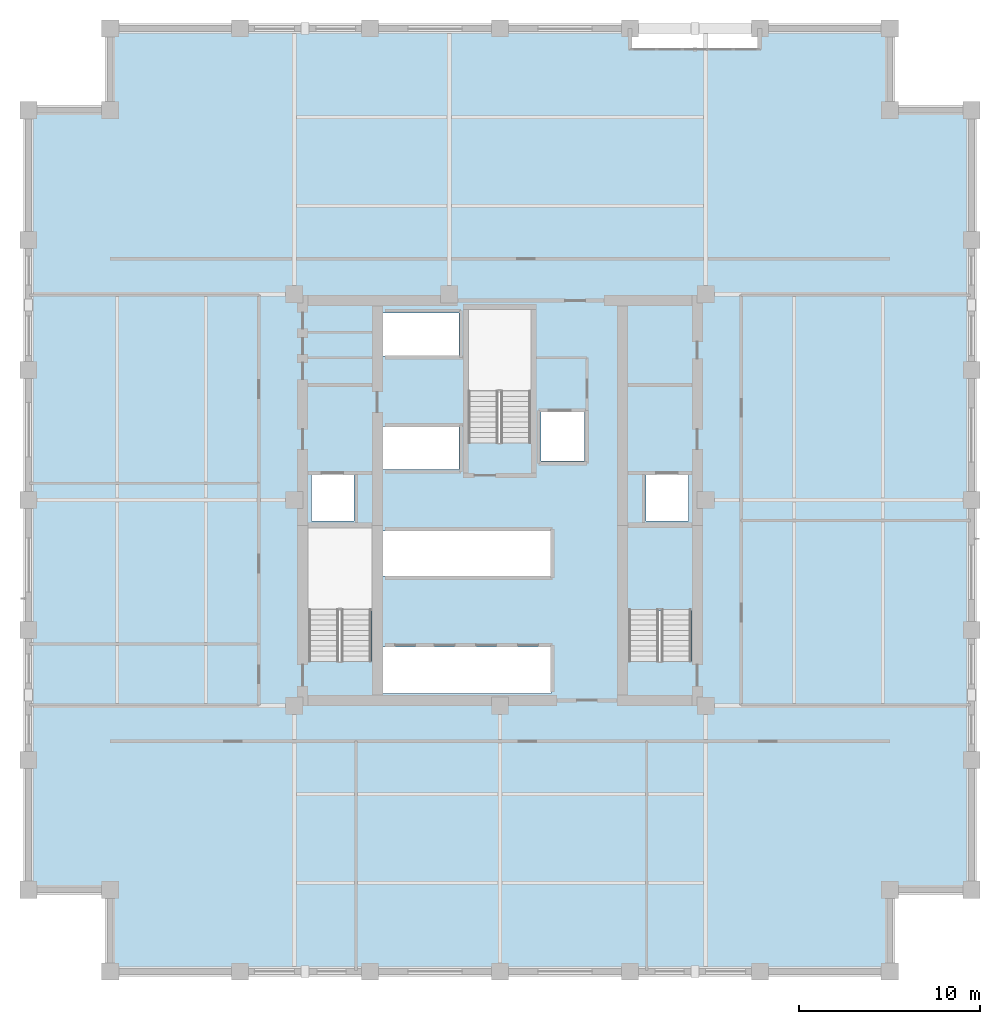
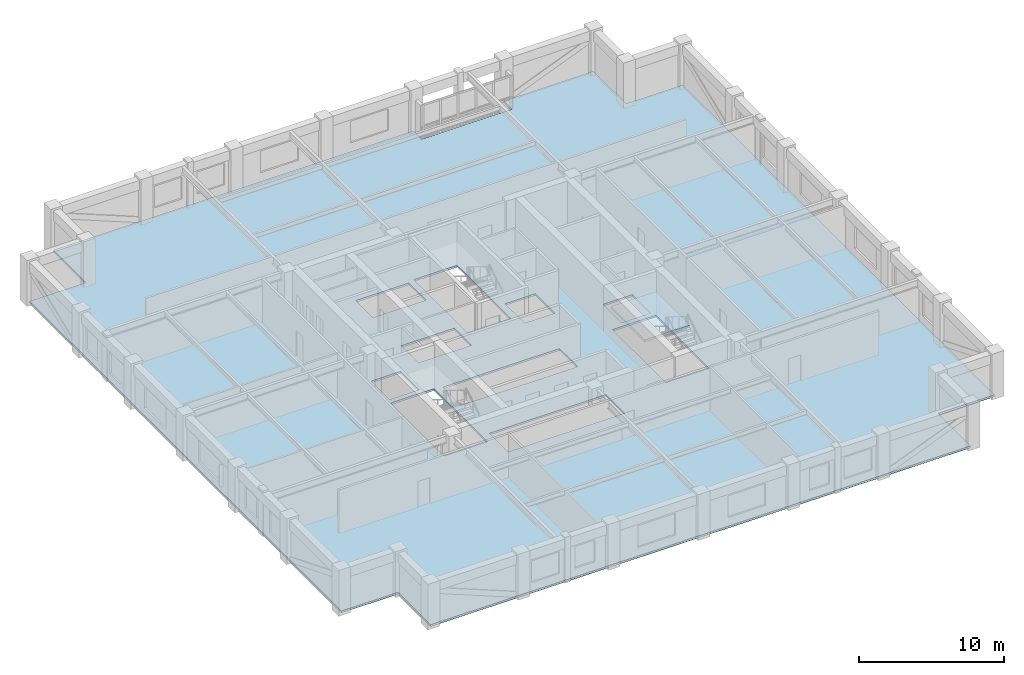
# One storey, part 4 of 11: 2 slabs, 1 element without a shape of its own.
"""IFC4 building model written with IfcOpenShell, lengths in metres."""

from ifc_helpers import new_model, si_unit, direction, frame, origin, place, context, subcontext, project, spatial, polyline, outline, extrude, material, layer, layer_set, type_object, element, aggregate, save


model = new_model("IFC4")

# Units and contexts
model_context = context("Model", 3, precision=1e-05, world=origin(), true_north=direction((0.0, 1.0)))
body_context = subcontext(model_context, "Body", "Model", "MODEL_VIEW")
ifc_project = project(units=[si_unit("LENGTHUNIT", "METRE"), si_unit("AREAUNIT", "SQUARE_METRE"), si_unit("VOLUMEUNIT", "CUBIC_METRE"), si_unit("PLANEANGLEUNIT", "RADIAN"), si_unit("MASSUNIT", "GRAM", prefix="KILO")], contexts=[model_context])

# Site, building, storey
site_placement = place(None, origin())
site = spatial("IfcSite", under=ifc_project, at=site_placement, CompositionType="ELEMENT")
building_placement = place(site_placement, origin())
building = spatial("IfcBuilding", under=site, at=building_placement, Name="Nhamokura Convention Tower", CompositionType="ELEMENT")
storey_placement = place(building_placement, frame((0.0, 0.0, 141.39990234375)))
storey = spatial("IfcBuildingStorey", under=building, at=storey_placement, Name="L34", CompositionType="ELEMENT", Elevation=141.39990234375)

# Slab
ifc_material_1 = material(Name="Concrete C40/50", Category="concrete")
ifc_layer_1 = layer(ifc_material_1, 0.1650390625)
ifc_layer_set_1 = layer_set([ifc_layer_1], Name="OfficeFloorSlab_165")
slab_type_1 = type_object("IfcSlabType", Name="OfficeFloorSlab_165", PredefinedType="FLOOR", material=ifc_layer_set_1)
slab_1_placement = place(storey_placement, frame((0.0, 0.0, -0.164794921875)))
element("IfcSlab", 1, at=slab_1_placement, inside=storey, type_object=slab_type_1, Name="L34 Structural Floor Slab", PredefinedType="FLOOR", context=body_context, shape_type="SweptSolid", body=[
    extrude(outline(polyline([(10.5, 6.0), (53.5, 6.0), (53.5, 10.5), (58.0, 10.5), (58.0, 53.5), (53.5, 53.5), (53.5, 58.0), (46.333251953125, 58.0), (46.333251953125, 56.85009765625), (39.166748046875, 56.85009765625), (39.166748046875, 58.0), (10.5, 58.0), (10.5, 53.5), (6.0, 53.5), (6.0, 10.5), (10.5, 10.5), (10.5, 6.0)]), holes=[polyline([(24.89990234375, 23.10009765625), (24.89990234375, 30.449951171875), (21.449951171875, 30.449951171875), (21.449951171875, 23.10009765625), (24.89990234375, 23.10009765625)]), polyline([(42.550048828125, 23.10009765625), (42.550048828125, 30.449951171875), (39.10009765625, 30.449951171875), (39.10009765625, 23.10009765625), (42.550048828125, 23.10009765625)]), polyline([(33.699951171875, 35.14990234375), (33.699951171875, 42.5), (30.25, 42.5), (30.25, 35.14990234375), (33.699951171875, 35.14990234375)]), polyline([(21.60009765625, 30.85009765625), (23.949951171875, 30.85009765625), (23.949951171875, 33.39990234375), (21.60009765625, 33.39990234375), (21.60009765625, 30.85009765625)]), polyline([(40.050048828125, 30.85009765625), (42.39990234375, 30.85009765625), (42.39990234375, 33.39990234375), (40.050048828125, 33.39990234375), (40.050048828125, 30.85009765625)]), polyline([(34.25, 34.14990234375), (36.64990234375, 34.14990234375), (36.64990234375, 36.85009765625), (34.25, 36.85009765625), (34.25, 34.14990234375)]), polyline([(25.52001953125, 21.320068359375), (34.800048828125, 21.320068359375), (34.800048828125, 23.89990234375), (25.52001953125, 23.89990234375), (25.52001953125, 21.320068359375)]), polyline([(25.52001953125, 27.800048828125), (34.800048828125, 27.800048828125), (34.800048828125, 30.300048828125), (25.52001953125, 30.300048828125), (25.52001953125, 27.800048828125)]), polyline([(25.52001953125, 33.679931640625), (29.75, 33.679931640625), (29.75, 36.050048828125), (25.52001953125, 36.050048828125), (25.52001953125, 33.679931640625)]), polyline([(25.52001953125, 39.949951171875), (29.75, 39.949951171875), (29.75, 42.320068359375), (25.52001953125, 42.320068359375), (25.52001953125, 39.949951171875)])]), origin(), (0.0, 0.0, 1.0), 0.164794921875),
])

# Stair, slab
ifc_material_2 = material(Name="Concrete C40/50", Category="concrete")
stair_type = type_object("IfcStairType", Name="TowerCoreStair_1650", PredefinedType="HALF_TURN_STAIR", material=ifc_material_2)
stair_placement = place(storey_placement, origin())
stair = element("IfcStair", 2, at=stair_placement, inside=storey, type_object=stair_type, Name="L34 East Core Smokeproof Stair ST-02", PredefinedType="HALF_TURN_STAIR")
ifc_material_3 = material(Name="Concrete C40/50", Category="concrete")
ifc_layer_2 = layer(ifc_material_3, 0.199951171875)
ifc_layer_set_2 = layer_set([ifc_layer_2], Name="StairLandingSlab_200")
slab_type_2 = type_object("IfcSlabType", Name="StairLandingSlab_200", PredefinedType="LANDING", material=ifc_layer_set_2)
slab_2_placement = place(storey_placement, frame((0.0, 0.0, 1.72509765625)))
slab_2 = element("IfcSlab", 3, at=slab_2_placement, type_object=slab_type_2, Name="ST-02 landing 1", PredefinedType="LANDING", context=body_context, shape_type="SweptSolid", body=[
    extrude(outline(polyline([(42.6298828125, 25.8701171875), (42.6298828125, 30.530029296875), (39.02001953125, 30.530029296875), (39.02001953125, 25.8701171875), (42.6298828125, 25.8701171875)])), origin(), (0.0, 0.0, 1.0), 0.199951171875),
])
aggregate(stair, [slab_2])

save(model, "model.ifc")
